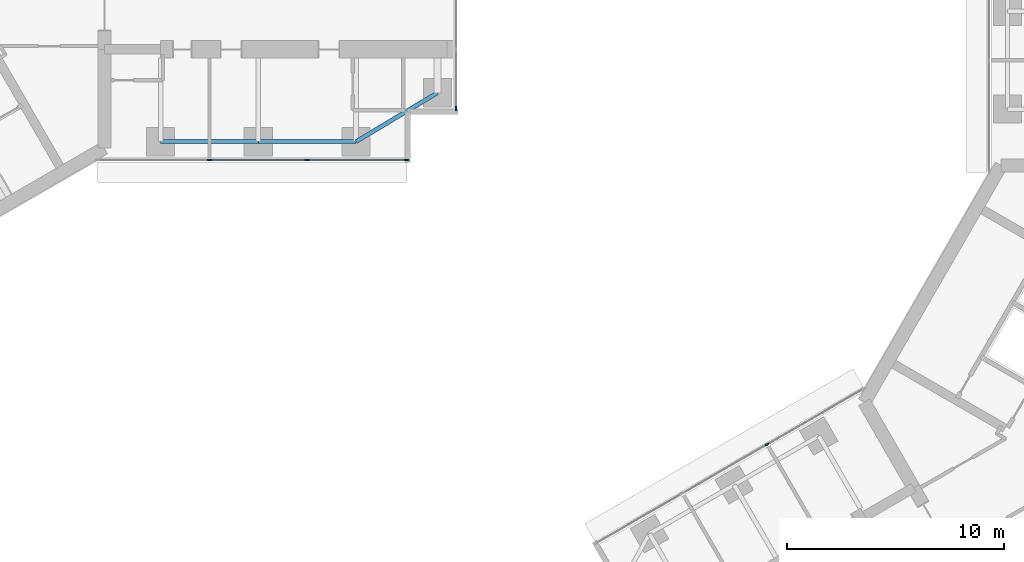
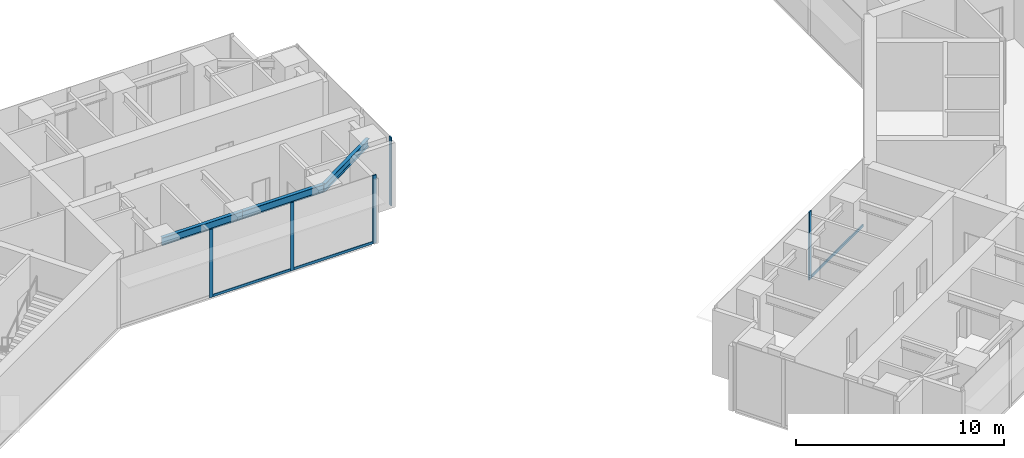
# One storey, part 4 of 22: 8 members, 3 beams, 3 elements without a shape of their own.
"""IFC4 building model written with IfcOpenShell, lengths in metres."""

from ifc_helpers import new_model, si_unit, direction, frame, origin, origin_2d, place, context, subcontext, project, spatial, rectangle, i_section, extrude, material, material_profile, profile_set, type_object, element, aggregate, save


model = new_model("IFC4")

# Units and contexts
model_context = context("Model", 3, precision=1e-05, world=origin(), true_north=direction((0.0, 1.0)))
body_context = subcontext(model_context, "Body", "Model", "MODEL_VIEW")
ifc_project = project(units=[si_unit("LENGTHUNIT", "METRE"), si_unit("AREAUNIT", "SQUARE_METRE"), si_unit("VOLUMEUNIT", "CUBIC_METRE"), si_unit("PLANEANGLEUNIT", "RADIAN"), si_unit("MASSUNIT", "GRAM", prefix="KILO")], contexts=[model_context])

# Site, building, storey
site_placement = place(None, origin())
site = spatial("IfcSite", under=ifc_project, at=site_placement, CompositionType="ELEMENT")
building_placement = place(site_placement, origin())
building = spatial("IfcBuilding", under=site, at=building_placement, Name="Upepo Twin Towers", CompositionType="ELEMENT")
storey_placement = place(building_placement, frame((0.0, 0.0, 125.5)))
storey = spatial("IfcBuildingStorey", under=building, at=storey_placement, Name="L30", CompositionType="ELEMENT", Elevation=125.5)

# Beams
ifc_material_1 = material(Name="Steel S355", Category="steel")
ifc_material_profile_1 = material_profile(ifc_material_1, i_section(OverallWidth=0.1904296875, OverallDepth=0.45703125, WebThickness=0.009033203125, FlangeThickness=0.014404296875, FilletRadius=0.01025390625, at=origin_2d()), Name="UB 457x191x74")
ifc_profile_set_1 = profile_set([ifc_material_profile_1], Name="Steel S355")
beam_type = type_object("IfcBeamType", Name="Beam UB 457x191x74", PredefinedType="BEAM", material=ifc_profile_set_1)
for number, where, z_axis, x_axis, name in (
    (1, (13.5, -6.0, 3.571533203125), (1.0, 0.0, 0.0), (0.0, 1.0, 0.0), "T1 edge beam AR 13.5-18.0"),
    (2, (18.0, -6.0, 3.571533203125), (1.0, 0.0, 0.0), (0.0, 1.0, 0.0), "T1 edge beam AR 18.0-22.5"),
):
    element("IfcBeam", number, at=place(storey_placement, frame(where, z_axis=z_axis, x_axis=x_axis)), inside=storey, type_object=beam_type, Name=name, PredefinedType="BEAM", context=body_context, shape_type="SweptSolid", body=[
        extrude(i_section(OverallWidth=0.1904296875, OverallDepth=0.45703125, WebThickness=0.009033203125, FlangeThickness=0.014404296875, FilletRadius=0.01025390625, at=origin_2d()), origin(), (0.0, 0.0, 1.0), 4.5),
    ])
beam_placement = place(storey_placement, frame((22.5, -6.0, 3.571533203125), z_axis=(0.857492925713, 0.514495755428, 0.0), x_axis=(-0.514495755428, 0.857492925713, 0.0)))
element("IfcBeam", 3, at=beam_placement, inside=storey, type_object=beam_type, Name="T1 nose edge beam AR", PredefinedType="BEAM", context=body_context, shape_type="SweptSolid", body=[
    extrude(i_section(OverallWidth=0.1904296875, OverallDepth=0.45703125, WebThickness=0.009033203125, FlangeThickness=0.014404296875, FilletRadius=0.01025390625, at=origin_2d()), origin(), (0.0, 0.0, 1.0), 4.373291015625),
])

# Curtain wall, members
ifc_material_2 = material(Name="Aluminium and fritted glass", Category="aluminium")
curtain_wall_type = type_object("IfcCurtainWallType", Name="Tower curtain wall TW2, fritted glass", PredefinedType="NOTDEFINED", material=ifc_material_2)
curtain_wall_1_placement = place(storey_placement, origin())
curtain_wall_1 = element("IfcCurtainWall", 4, at=curtain_wall_1_placement, inside=storey, type_object=curtain_wall_type, Name="T1 L30 wing A flank R curtain wall", PredefinedType="NOTDEFINED")
ifc_material_3 = material(Name="Aluminium mullion", Category="aluminium")
ifc_material_profile_2 = material_profile(ifc_material_3, rectangle(XDim=0.06494140625, YDim=0.199951171875, at=origin_2d()), Name="MULLION 65x200")
ifc_profile_set_2 = profile_set([ifc_material_profile_2], Name="Aluminium mullion")
member_type_1 = type_object("IfcMemberType", Name="Mullion 65x200 TW2", PredefinedType="MULLION", material=ifc_profile_set_2)
member_1_placement = place(storey_placement, frame((24.8173828125, -6.85009765625, 0.0), z_axis=(0.0, 0.0, 1.0), x_axis=(0.0, -1.0, 0.0)))
member_1 = element("IfcMember", 5, at=member_1_placement, type_object=member_type_1, Name="T1 L30 wing A flank R curtain wall mullion 1", PredefinedType="MULLION", context=body_context, shape_type="SweptSolid", body=[
    extrude(rectangle(XDim=0.06494140625, YDim=0.199951171875, at=origin_2d()), origin(), (0.0, 0.0, 1.0), 4.0),
])
member_2_placement = place(storey_placement, frame((20.25, -6.85009765625, 0.0), z_axis=(0.0, 0.0, 1.0), x_axis=(0.0, -1.0, 0.0)))
member_2 = element("IfcMember", 6, at=member_2_placement, type_object=member_type_1, Name="T1 L30 wing A flank R curtain wall mullion 2", PredefinedType="MULLION", context=body_context, shape_type="SweptSolid", body=[
    extrude(rectangle(XDim=0.06494140625, YDim=0.199951171875, at=origin_2d()), origin(), (0.0, 0.0, 1.0), 4.0),
])
member_3_placement = place(storey_placement, frame((15.75, -6.85009765625, 0.0), z_axis=(0.0, 0.0, 1.0), x_axis=(0.0, -1.0, 0.0)))
member_3 = element("IfcMember", 7, at=member_3_placement, type_object=member_type_1, Name="T1 L30 wing A flank R curtain wall mullion 3", PredefinedType="MULLION", context=body_context, shape_type="SweptSolid", body=[
    extrude(rectangle(XDim=0.06494140625, YDim=0.199951171875, at=origin_2d()), origin(), (0.0, 0.0, 1.0), 4.0),
])

# Curtain wall, member
curtain_wall_2_placement = place(storey_placement, origin())
curtain_wall_2 = element("IfcCurtainWall", 8, at=curtain_wall_2_placement, inside=storey, type_object=curtain_wall_type, Name="T1 L30 wing A nose curtain wall", PredefinedType="NOTDEFINED")
member_4_placement = place(storey_placement, frame((27.10009765625, -4.467529296875, 0.0), z_axis=(0.0, 0.0, 1.0), x_axis=(-1.0, 0.0, 0.0)))
member_4 = element("IfcMember", 9, at=member_4_placement, type_object=member_type_1, Name="T1 L30 wing A nose curtain wall mullion 1", PredefinedType="MULLION", context=body_context, shape_type="SweptSolid", body=[
    extrude(rectangle(XDim=0.06494140625, YDim=0.199951171875, at=origin_2d()), origin(), (0.0, 0.0, 1.0), 4.0),
])
aggregate(curtain_wall_2, [member_4])

curtain_wall_3_placement = place(storey_placement, origin())
curtain_wall_3 = element("IfcCurtainWall", 10, at=curtain_wall_3_placement, inside=storey, type_object=curtain_wall_type, Name="T2 L30 wing B flank R curtain wall", PredefinedType="NOTDEFINED")
member_5_placement = place(storey_placement, frame((41.43505859375, -19.942626953125, 0.0), z_axis=(0.0, 0.0, 1.0), x_axis=(-0.500000010308, 0.866025397833, 0.0)))
member_5 = element("IfcMember", 11, at=member_5_placement, type_object=member_type_1, Name="T2 L30 wing B flank R curtain wall mullion 3", PredefinedType="MULLION", context=body_context, shape_type="SweptSolid", body=[
    extrude(rectangle(XDim=0.06494140625, YDim=0.199951171875, at=origin_2d()), origin(), (0.0, 0.0, 1.0), 4.0),
])

# Member
ifc_material_4 = material(Name="Aluminium transom", Category="aluminium")
ifc_material_profile_3 = material_profile(ifc_material_4, rectangle(XDim=0.06494140625, YDim=0.14990234375, at=origin_2d()), Name="TRANSOM 65x150")
ifc_profile_set_3 = profile_set([ifc_material_profile_3], Name="Aluminium transom")
member_type_2 = type_object("IfcMemberType", Name="Transom 65x150 TW2", PredefinedType="USERDEFINED", material=ifc_profile_set_3)
member_6_placement = place(storey_placement, frame((24.784912109375, -6.85009765625, 0.074951171875), z_axis=(-1.0, 0.0, 0.0), x_axis=(0.0, -1.0, 0.0)))
member_6 = element("IfcMember", 12, at=member_6_placement, type_object=member_type_2, Name="T1 L30 wing A flank R curtain wall transom 1", ObjectType="TRANSOM", PredefinedType="USERDEFINED", context=body_context, shape_type="SweptSolid", body=[
    extrude(rectangle(XDim=0.06494140625, YDim=0.14990234375, at=origin_2d()), origin(), (0.0, 0.0, 1.0), 4.50244140625),
])

member_7_placement = place(storey_placement, frame((20.217529296875, -6.85009765625, 0.074951171875), z_axis=(-1.0, 0.0, 0.0), x_axis=(0.0, -1.0, 0.0)))
member_7 = element("IfcMember", 13, at=member_7_placement, type_object=member_type_2, Name="T1 L30 wing A flank R curtain wall transom 2", ObjectType="TRANSOM", PredefinedType="USERDEFINED", context=body_context, shape_type="SweptSolid", body=[
    extrude(rectangle(XDim=0.06494140625, YDim=0.14990234375, at=origin_2d()), origin(), (0.0, 0.0, 1.0), 4.43505859375),
])

aggregate(curtain_wall_1, [member_1, member_2, member_3, member_6, member_7])

member_8_placement = place(storey_placement, frame((41.463134765625, -19.926513671875, 0.074951171875), z_axis=(0.866033897268, 0.499985288567, 0.0), x_axis=(-0.499985288567, 0.866033897268, 0.0)))
member_8 = element("IfcMember", 14, at=member_8_placement, type_object=member_type_2, Name="T2 L30 wing B flank R curtain wall transom 3", ObjectType="TRANSOM", PredefinedType="USERDEFINED", context=body_context, shape_type="SweptSolid", body=[
    extrude(rectangle(XDim=0.06494140625, YDim=0.14990234375, at=origin_2d()), origin(), (0.0, 0.0, 1.0), 5.065673828125),
])

aggregate(curtain_wall_3, [member_5, member_8])

save(model, "model.ifc")
